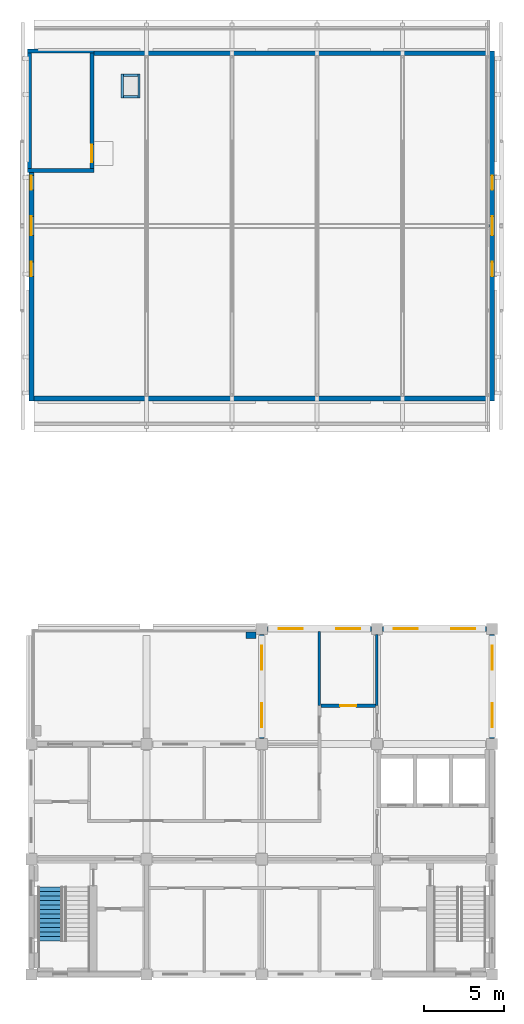
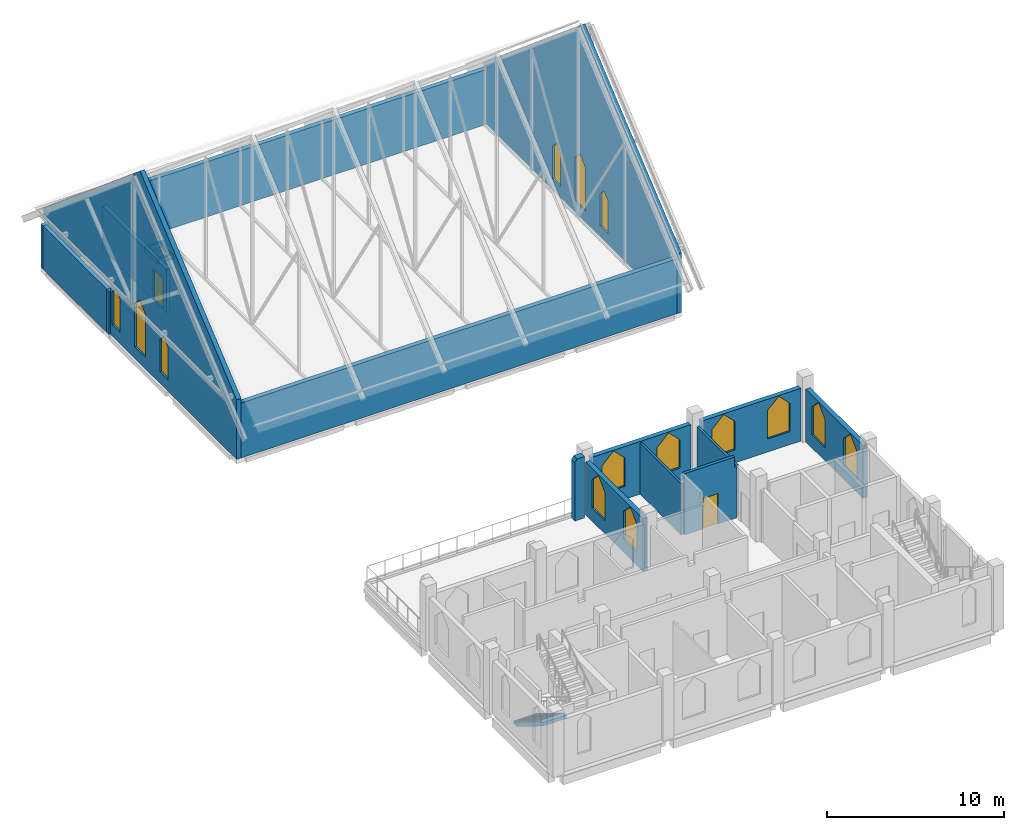
# One storey, part 27 of 29: 20 walls, 14 windows, 2 doors, 1 stair flight, 16 openings, 1 element without a shape of its own.
"""IFC4 building model written with IfcOpenShell, lengths in metres."""

from ifc_helpers import new_model, si_unit, direction, frame, frame_2d, origin, place, context, subcontext, project, spatial, polyline, rectangle, outline, extrude, material, layer, layer_set, type_object, element, fill, aggregate, save


model = new_model("IFC4")

# Units and contexts
model_context = context("Model", 3, precision=1e-05, world=origin(), true_north=direction((0.0, 1.0)))
body_context = subcontext(model_context, "Body", "Model", "MODEL_VIEW")
ifc_project = project(units=[si_unit("LENGTHUNIT", "METRE"), si_unit("AREAUNIT", "SQUARE_METRE"), si_unit("VOLUMEUNIT", "CUBIC_METRE"), si_unit("PLANEANGLEUNIT", "RADIAN"), si_unit("MASSUNIT", "GRAM", prefix="KILO")], contexts=[model_context])

# Site, building, storey
site_placement = place(None, origin())
site = spatial("IfcSite", under=ifc_project, at=site_placement, CompositionType="ELEMENT")
building_placement = place(site_placement, origin())
building = spatial("IfcBuilding", under=site, at=building_placement, Name="Silangan Lancet Faculty of Sciences", CompositionType="ELEMENT")
storey_placement = place(building_placement, frame((0.0, 0.0, 54.300048828125)))
storey = spatial("IfcBuildingStorey", under=building, at=storey_placement, Name="L11", CompositionType="ELEMENT", Elevation=54.300048828125)

# Wall, openings, windows
ifc_material_1 = material(Name="Concrete C40/50 precast", Category="concrete")
ifc_layer_1 = layer(ifc_material_1, 0.300048828125)
ifc_layer_set_1 = layer_set([ifc_layer_1], Name="Concrete C40/50 precast")
wall_type_1 = type_object("IfcWallType", Name="EW1 Precast cladding wall", PredefinedType="STANDARD", material=ifc_layer_set_1)
wall_1_placement = place(storey_placement, frame((28.800048828125, 14.75, 0.0), z_axis=(0.0, 0.0, 1.0), x_axis=(0.0, 1.0, 0.0)))
wall_1 = element("IfcWall", 1, at=wall_1_placement, inside=storey, type_object=wall_type_1, Name="EW-L11-E-ST-02", PredefinedType="STANDARD", context=body_context, shape_type="SweptSolid", body=[
    extrude(rectangle(XDim=6.5, YDim=0.300048828125, at=frame_2d((3.25, 0.0))), origin(), (0.0, 0.0, 1.0), 3.64990234375),
])
opening_1_placement = place(wall_1_placement, frame((0.699951171875, 0.0, 0.89990234375)))
opening_1 = element("IfcOpeningElement", 2, at=opening_1_placement, cuts=wall_1, Name="Opening W23", PredefinedType="OPENING", context=body_context, shape_type="SweptSolid", body=[
    extrude(outline(polyline([(0.0, 0.0), (1.5, 0.0), (1.5, 1.949951171875), (0.75, 2.699951171875), (0.0, 1.949951171875), (0.0, 0.0)])), frame((0.0, 0.159912109375, 0.0), z_axis=(0.0, -1.0, 0.0), x_axis=(1.0, 0.0, 0.0)), (0.0, 0.0, 1.0), 0.320068359375),
])
opening_2_placement = place(wall_1_placement, frame((4.300048828125, 0.0, 0.89990234375)))
opening_2 = element("IfcOpeningElement", 3, at=opening_2_placement, cuts=wall_1, Name="Opening W23", PredefinedType="OPENING", context=body_context, shape_type="SweptSolid", body=[
    extrude(outline(polyline([(0.0, 0.0), (1.5, 0.0), (1.5, 1.949951171875), (0.75, 2.699951171875), (0.0, 1.949951171875), (0.0, 0.0)])), frame((0.0, 0.159912109375, 0.0), z_axis=(0.0, -1.0, 0.0), x_axis=(1.0, 0.0, 0.0)), (0.0, 0.0, 1.0), 0.320068359375),
])
ifc_material_2 = material(Name="Aluminium frame, laminated double glazing", Category="aluminium")
window_type_1 = type_object("IfcWindowType", Name="W23 Lancet window 1500 x 2700", PartitioningType="SINGLE_PANEL", PredefinedType="WINDOW", material=ifc_material_2)
window_1_placement = place(opening_1_placement, origin())
window_1 = element("IfcWindow", 4, at=window_1_placement, inside=storey, type_object=window_type_1, Name="WIN-L11-E-ST-02a", OverallHeight=2.699951171875, OverallWidth=1.5, PartitioningType="SINGLE_PANEL", PredefinedType="WINDOW", context=body_context, shape_type="SweptSolid", body=[
    extrude(outline(polyline([(0.0, 0.0), (1.5, 0.0), (1.5, 1.949951171875), (0.75, 2.699951171875), (0.0, 1.949951171875), (0.0, 0.0)])), frame((0.0, 0.030029296875, 0.0), z_axis=(0.0, -1.0, 0.0), x_axis=(1.0, 0.0, 0.0)), (0.0, 0.0, 1.0), 0.06005859375),
])
fill(opening_1, window_1)
window_2_placement = place(opening_2_placement, origin())
window_2 = element("IfcWindow", 5, at=window_2_placement, inside=storey, type_object=window_type_1, Name="WIN-L11-E-ST-02b", OverallHeight=2.699951171875, OverallWidth=1.5, PartitioningType="SINGLE_PANEL", PredefinedType="WINDOW", context=body_context, shape_type="SweptSolid", body=[
    extrude(outline(polyline([(0.0, 0.0), (1.5, 0.0), (1.5, 1.949951171875), (0.75, 2.699951171875), (0.0, 1.949951171875), (0.0, 0.0)])), frame((0.0, 0.030029296875, 0.0), z_axis=(0.0, -1.0, 0.0), x_axis=(1.0, 0.0, 0.0)), (0.0, 0.0, 1.0), 0.06005859375),
])
fill(opening_2, window_2)

wall_2_placement = place(storey_placement, frame((28.449951171875, 21.60009765625, 0.0), z_axis=(0.0, 0.0, 1.0), x_axis=(-1.0, 0.0, 0.0)))
wall_2 = element("IfcWall", 6, at=wall_2_placement, inside=storey, type_object=wall_type_1, Name="EW-L11-N-ST-M-00", PredefinedType="STANDARD", context=body_context, shape_type="SweptSolid", body=[
    extrude(rectangle(XDim=6.5, YDim=0.300048828125, at=frame_2d((3.25, 0.0))), origin(), (0.0, 0.0, 1.0), 3.64990234375),
])
opening_3_placement = place(wall_2_placement, frame((0.699951171875, 0.0, 0.89990234375)))
opening_3 = element("IfcOpeningElement", 7, at=opening_3_placement, cuts=wall_2, Name="Opening W23", PredefinedType="OPENING", context=body_context, shape_type="SweptSolid", body=[
    extrude(outline(polyline([(0.0, 0.0), (1.5, 0.0), (1.5, 1.949951171875), (0.75, 2.699951171875), (0.0, 1.949951171875), (0.0, 0.0)])), frame((0.0, 0.159912109375, 0.0), z_axis=(0.0, -1.0, 0.0), x_axis=(1.0, 0.0, 0.0)), (0.0, 0.0, 1.0), 0.320068359375),
])
opening_4_placement = place(wall_2_placement, frame((4.300048828125, 0.0, 0.89990234375)))
opening_4 = element("IfcOpeningElement", 8, at=opening_4_placement, cuts=wall_2, Name="Opening W23", PredefinedType="OPENING", context=body_context, shape_type="SweptSolid", body=[
    extrude(outline(polyline([(0.0, 0.0), (1.5, 0.0), (1.5, 1.949951171875), (0.75, 2.699951171875), (0.0, 1.949951171875), (0.0, 0.0)])), frame((0.0, 0.159912109375, 0.0), z_axis=(0.0, -1.0, 0.0), x_axis=(1.0, 0.0, 0.0)), (0.0, 0.0, 1.0), 0.320068359375),
])
window_3_placement = place(opening_3_placement, origin())
window_3 = element("IfcWindow", 9, at=window_3_placement, inside=storey, type_object=window_type_1, Name="WIN-L11-N-ST-M-00a", OverallHeight=2.699951171875, OverallWidth=1.5, PartitioningType="SINGLE_PANEL", PredefinedType="WINDOW", context=body_context, shape_type="SweptSolid", body=[
    extrude(outline(polyline([(0.0, 0.0), (1.5, 0.0), (1.5, 1.949951171875), (0.75, 2.699951171875), (0.0, 1.949951171875), (0.0, 0.0)])), frame((0.0, 0.030029296875, 0.0), z_axis=(0.0, -1.0, 0.0), x_axis=(1.0, 0.0, 0.0)), (0.0, 0.0, 1.0), 0.06005859375),
])
fill(opening_3, window_3)
window_4_placement = place(opening_4_placement, origin())
window_4 = element("IfcWindow", 10, at=window_4_placement, inside=storey, type_object=window_type_1, Name="WIN-L11-N-ST-M-00b", OverallHeight=2.699951171875, OverallWidth=1.5, PartitioningType="SINGLE_PANEL", PredefinedType="WINDOW", context=body_context, shape_type="SweptSolid", body=[
    extrude(outline(polyline([(0.0, 0.0), (1.5, 0.0), (1.5, 1.949951171875), (0.75, 2.699951171875), (0.0, 1.949951171875), (0.0, 0.0)])), frame((0.0, 0.030029296875, 0.0), z_axis=(0.0, -1.0, 0.0), x_axis=(1.0, 0.0, 0.0)), (0.0, 0.0, 1.0), 0.06005859375),
])
fill(opening_4, window_4)

wall_3_placement = place(storey_placement, frame((21.25, 21.60009765625, 0.0), z_axis=(0.0, 0.0, 1.0), x_axis=(-1.0, 0.0, 0.0)))
wall_3 = element("IfcWall", 11, at=wall_3_placement, inside=storey, type_object=wall_type_1, Name="EW-L11-N-ST-M-01", PredefinedType="STANDARD", context=body_context, shape_type="SweptSolid", body=[
    extrude(rectangle(XDim=6.5, YDim=0.300048828125, at=frame_2d((3.25, 0.0))), origin(), (0.0, 0.0, 1.0), 3.64990234375),
])
opening_5_placement = place(wall_3_placement, frame((0.699951171875, 0.0, 0.89990234375)))
opening_5 = element("IfcOpeningElement", 12, at=opening_5_placement, cuts=wall_3, Name="Opening W23", PredefinedType="OPENING", context=body_context, shape_type="SweptSolid", body=[
    extrude(outline(polyline([(0.0, 0.0), (1.5, 0.0), (1.5, 1.949951171875), (0.75, 2.699951171875), (0.0, 1.949951171875), (0.0, 0.0)])), frame((0.0, 0.159912109375, 0.0), z_axis=(0.0, -1.0, 0.0), x_axis=(1.0, 0.0, 0.0)), (0.0, 0.0, 1.0), 0.320068359375),
])
opening_6_placement = place(wall_3_placement, frame((4.300048828125, 0.0, 0.89990234375)))
opening_6 = element("IfcOpeningElement", 13, at=opening_6_placement, cuts=wall_3, Name="Opening W23", PredefinedType="OPENING", context=body_context, shape_type="SweptSolid", body=[
    extrude(outline(polyline([(0.0, 0.0), (1.5, 0.0), (1.5, 1.949951171875), (0.75, 2.699951171875), (0.0, 1.949951171875), (0.0, 0.0)])), frame((0.0, 0.159912109375, 0.0), z_axis=(0.0, -1.0, 0.0), x_axis=(1.0, 0.0, 0.0)), (0.0, 0.0, 1.0), 0.320068359375),
])
window_5_placement = place(opening_5_placement, origin())
window_5 = element("IfcWindow", 14, at=window_5_placement, inside=storey, type_object=window_type_1, Name="WIN-L11-N-ST-M-01a", OverallHeight=2.699951171875, OverallWidth=1.5, PartitioningType="SINGLE_PANEL", PredefinedType="WINDOW", context=body_context, shape_type="SweptSolid", body=[
    extrude(outline(polyline([(0.0, 0.0), (1.5, 0.0), (1.5, 1.949951171875), (0.75, 2.699951171875), (0.0, 1.949951171875), (0.0, 0.0)])), frame((0.0, 0.030029296875, 0.0), z_axis=(0.0, -1.0, 0.0), x_axis=(1.0, 0.0, 0.0)), (0.0, 0.0, 1.0), 0.06005859375),
])
fill(opening_5, window_5)
window_6_placement = place(opening_6_placement, origin())
window_6 = element("IfcWindow", 15, at=window_6_placement, inside=storey, type_object=window_type_1, Name="WIN-L11-N-ST-M-01b", OverallHeight=2.699951171875, OverallWidth=1.5, PartitioningType="SINGLE_PANEL", PredefinedType="WINDOW", context=body_context, shape_type="SweptSolid", body=[
    extrude(outline(polyline([(0.0, 0.0), (1.5, 0.0), (1.5, 1.949951171875), (0.75, 2.699951171875), (0.0, 1.949951171875), (0.0, 0.0)])), frame((0.0, 0.030029296875, 0.0), z_axis=(0.0, -1.0, 0.0), x_axis=(1.0, 0.0, 0.0)), (0.0, 0.0, 1.0), 0.06005859375),
])
fill(opening_6, window_6)

wall_4_placement = place(storey_placement, frame((14.39990234375, 14.75, 0.0), z_axis=(0.0, 0.0, 1.0), x_axis=(0.0, 1.0, 0.0)))
wall_4 = element("IfcWall", 16, at=wall_4_placement, inside=storey, type_object=wall_type_1, Name="EW-L11-W-ST-R-00", PredefinedType="STANDARD", context=body_context, shape_type="SweptSolid", body=[
    extrude(rectangle(XDim=6.5, YDim=0.300048828125, at=frame_2d((3.25, 0.0))), origin(), (0.0, 0.0, 1.0), 3.64990234375),
])
opening_7_placement = place(wall_4_placement, frame((0.699951171875, 0.0, 0.89990234375)))
opening_7 = element("IfcOpeningElement", 17, at=opening_7_placement, cuts=wall_4, Name="Opening W23", PredefinedType="OPENING", context=body_context, shape_type="SweptSolid", body=[
    extrude(outline(polyline([(0.0, 0.0), (1.5, 0.0), (1.5, 1.949951171875), (0.75, 2.699951171875), (0.0, 1.949951171875), (0.0, 0.0)])), frame((0.0, 0.159912109375, 0.0), z_axis=(0.0, -1.0, 0.0), x_axis=(1.0, 0.0, 0.0)), (0.0, 0.0, 1.0), 0.320068359375),
])
opening_8_placement = place(wall_4_placement, frame((4.300048828125, 0.0, 0.89990234375)))
opening_8 = element("IfcOpeningElement", 18, at=opening_8_placement, cuts=wall_4, Name="Opening W23", PredefinedType="OPENING", context=body_context, shape_type="SweptSolid", body=[
    extrude(outline(polyline([(0.0, 0.0), (1.5, 0.0), (1.5, 1.949951171875), (0.75, 2.699951171875), (0.0, 1.949951171875), (0.0, 0.0)])), frame((0.0, 0.159912109375, 0.0), z_axis=(0.0, -1.0, 0.0), x_axis=(1.0, 0.0, 0.0)), (0.0, 0.0, 1.0), 0.320068359375),
])
window_7_placement = place(opening_7_placement, origin())
window_7 = element("IfcWindow", 19, at=window_7_placement, inside=storey, type_object=window_type_1, Name="WIN-L11-W-ST-R-00a", OverallHeight=2.699951171875, OverallWidth=1.5, PartitioningType="SINGLE_PANEL", PredefinedType="WINDOW", context=body_context, shape_type="SweptSolid", body=[
    extrude(outline(polyline([(0.0, 0.0), (1.5, 0.0), (1.5, 1.949951171875), (0.75, 2.699951171875), (0.0, 1.949951171875), (0.0, 0.0)])), frame((0.0, 0.030029296875, 0.0), z_axis=(0.0, -1.0, 0.0), x_axis=(1.0, 0.0, 0.0)), (0.0, 0.0, 1.0), 0.06005859375),
])
fill(opening_7, window_7)
window_8_placement = place(opening_8_placement, origin())
window_8 = element("IfcWindow", 20, at=window_8_placement, inside=storey, type_object=window_type_1, Name="WIN-L11-W-ST-R-00b", OverallHeight=2.699951171875, OverallWidth=1.5, PartitioningType="SINGLE_PANEL", PredefinedType="WINDOW", context=body_context, shape_type="SweptSolid", body=[
    extrude(outline(polyline([(0.0, 0.0), (1.5, 0.0), (1.5, 1.949951171875), (0.75, 2.699951171875), (0.0, 1.949951171875), (0.0, 0.0)])), frame((0.0, 0.030029296875, 0.0), z_axis=(0.0, -1.0, 0.0), x_axis=(1.0, 0.0, 0.0)), (0.0, 0.0, 1.0), 0.06005859375),
])
fill(opening_8, window_8)

# Walls
ifc_material_3 = material(Name="Concrete C40/50 precast", Category="concrete")
ifc_layer_2 = layer(ifc_material_3, 0.39990234375)
ifc_layer_set_2 = layer_set([ifc_layer_2], Name="Concrete C40/50 precast")
wall_type_2 = type_object("IfcWallType", Name="FN32 Buttress Fin column line stage 3 4250", PredefinedType="POLYGONAL", material=ifc_layer_set_2)
wall_5_placement = place(storey_placement, frame((14.050048828125, 21.199951171875, 0.0), z_axis=(0.0, 0.0, 1.0), x_axis=(-1.0, 0.0, 0.0)))
element("IfcWall", 21, at=wall_5_placement, inside=storey, type_object=wall_type_2, Name="FINC-W-ST-R-01", PredefinedType="POLYGONAL", context=body_context, shape_type="SweptSolid", body=[
    extrude(outline(polyline([(0.64990234375, 0.0), (0.64990234375, 4.02490234375), (0.5, 4.25), (0.0, 4.25), (0.0, 0.0), (0.64990234375, 0.0)])), frame((0.0, 0.199951171875, 0.0), z_axis=(0.0, -1.0, 0.0), x_axis=(1.0, 0.0, 0.0)), (0.0, 0.0, 1.0), 0.39990234375),
])
ifc_material_4 = material(Name="Concrete C35/45", Category="concrete")
ifc_layer_3 = layer(ifc_material_4, 0.14990234375)
ifc_layer_set_3 = layer_set([ifc_layer_3], Name="Concrete C35/45")
wall_type_3 = type_object("IfcWallType", Name="Hatch upstand 150", PredefinedType="STANDARD", material=ifc_layer_set_3)
for number, where, z_axis, x_axis, name in (
    (22, (5.675048828125, 54.800048828125, 0.0), (0.0, 0.0, 1.0), (0.0, 1.0, 0.0), "Hatch upstand wall NT W"),
    (23, (6.72509765625, 54.800048828125, 0.0), (0.0, 0.0, 1.0), (0.0, 1.0, 0.0), "Hatch upstand wall NT E"),
):
    element("IfcWall", number, at=place(storey_placement, frame(where, z_axis=z_axis, x_axis=x_axis)), inside=storey, type_object=wall_type_3, Name=name, PredefinedType="STANDARD", context=body_context, shape_type="SweptSolid", body=[
        extrude(rectangle(XDim=1.5, YDim=0.14990234375, at=frame_2d((0.75, 0.0))), origin(), (0.0, 0.0, 1.0), 0.349853515625),
    ])
for number, where, z_axis, x_axis, name in (
    (24, (5.75, 54.875, 0.0), (0.0, 0.0, 1.0), (1.0, 0.0, 0.0), "Hatch upstand wall NT S"),
    (25, (5.75, 56.22509765625, 0.0), (0.0, 0.0, 1.0), (1.0, 0.0, 0.0), "Hatch upstand wall NT N"),
):
    element("IfcWall", number, at=place(storey_placement, frame(where, z_axis=z_axis, x_axis=x_axis)), inside=storey, type_object=wall_type_3, Name=name, PredefinedType="STANDARD", context=body_context, shape_type="SweptSolid", body=[
        extrude(rectangle(XDim=0.89990234375, YDim=0.14990234375, at=frame_2d((0.449951171875, 0.0))), origin(), (0.0, 0.0, 1.0), 0.349853515625),
    ])
ifc_material_5 = material(Name="Concrete C35/45", Category="concrete")
ifc_layer_4 = layer(ifc_material_5, 0.25)
ifc_layer_set_4 = layer_set([ifc_layer_4], Name="Concrete C35/45")
wall_type_4 = type_object("IfcWallType", Name="Head-house wall 250", PredefinedType="STANDARD", material=ifc_layer_set_4)
for number, where, z_axis, x_axis, name in (
    (26, (-0.25, 50.27490234375, 0.0), (0.0, 0.0, 1.0), (1.0, 0.0, 0.0), "Head-house NT-A south wall"),
    (27, (-0.25, 57.72509765625, 0.0), (0.0, 0.0, 1.0), (1.0, 0.0, 0.0), "Head-house NT-A north wall"),
):
    element("IfcWall", number, at=place(storey_placement, frame(where, z_axis=z_axis, x_axis=x_axis)), inside=storey, type_object=wall_type_4, Name=name, PredefinedType="STANDARD", context=body_context, shape_type="SweptSolid", body=[
        extrude(rectangle(XDim=4.14990234375, YDim=0.25, at=frame_2d((2.074951171875, 0.0))), origin(), (0.0, 0.0, 1.0), 3.0),
    ])
wall_6_placement = place(storey_placement, frame((-0.125, 50.39990234375, 0.0), z_axis=(0.0, 0.0, 1.0), x_axis=(0.0, 1.0, 0.0)))
element("IfcWall", 28, at=wall_6_placement, inside=storey, type_object=wall_type_4, Name="Head-house NT-A west wall", PredefinedType="STANDARD", context=body_context, shape_type="SweptSolid", body=[
    extrude(rectangle(XDim=7.2001953125, YDim=0.25, at=frame_2d((3.60009765625, 0.0))), origin(), (0.0, 0.0, 1.0), 3.0),
])

# Wall, opening, door
wall_7_placement = place(storey_placement, frame((3.77490234375, 50.39990234375, 0.0), z_axis=(0.0, 0.0, 1.0), x_axis=(0.0, 1.0, 0.0)))
wall_7 = element("IfcWall", 29, at=wall_7_placement, inside=storey, type_object=wall_type_4, Name="Head-house NT-A east wall", PredefinedType="STANDARD", context=body_context, shape_type="SweptSolid", body=[
    extrude(rectangle(XDim=7.2001953125, YDim=0.25, at=frame_2d((3.60009765625, 0.0))), origin(), (0.0, 0.0, 1.0), 3.0),
])
opening_9_placement = place(wall_7_placement, frame((0.387451171875, 0.0, 0.02001953125)))
opening_9 = element("IfcOpeningElement", 30, at=opening_9_placement, cuts=wall_7, Name="Opening L11-902", PredefinedType="OPENING", context=body_context, shape_type="SweptSolid", body=[
    extrude(rectangle(XDim=1.10009765625, YDim=2.10009765625, at=frame_2d((0.550048828125, 1.050048828125))), frame((0.0, 0.135009765625, 0.0), z_axis=(0.0, -1.0, 0.0), x_axis=(1.0, 0.0, 0.0)), (0.0, 0.0, 1.0), 0.27001953125),
])
ifc_material_6 = material(Name="Steel fire door", Category="steel")
door_type_1 = type_object("IfcDoorType", Name="DR1 Roof exit door 1100x2100", OperationType="SINGLE_SWING_LEFT", PredefinedType="DOOR", material=ifc_material_6)
door_1_placement = place(opening_9_placement, frame((1.10009765625, 0.0, 0.0), z_axis=(0.0, 0.0, 1.0), x_axis=(-1.0, 0.0, 0.0)))
door_1 = element("IfcDoor", 31, at=door_1_placement, inside=storey, type_object=door_type_1, Name="Roof exit door NT-A", OperationType="SINGLE_SWING_RIGHT", OverallHeight=2.10009765625, OverallWidth=1.10009765625, PredefinedType="DOOR", context=body_context, shape_type="SweptSolid", body=[
    extrude(rectangle(XDim=1.10009765625, YDim=2.10009765625, at=frame_2d((0.550048828125, 1.050048828125))), frame((0.0, 0.025146484375, 0.0), z_axis=(0.0, -1.0, 0.0), x_axis=(1.0, 0.0, 0.0)), (0.0, 0.0, 1.0), 0.050048828125),
])
fill(opening_9, door_1)

ifc_material_7 = material(Name="Hollow block masonry fm 7 MPa", Category="masonry")
ifc_layer_5 = layer(ifc_material_7, 0.199951171875)
ifc_layer_set_5 = layer_set([ifc_layer_5], Name="Hollow block masonry fm 7 MPa")
wall_type_5 = type_object("IfcWallType", Name="Interior wall PW1 Corridor wall CHB 200", PredefinedType="PARTITIONING", material=ifc_layer_set_5)
wall_8_placement = place(storey_placement, frame((18.10009765625, 16.800048828125, 0.0), z_axis=(0.0, 0.0, 1.0), x_axis=(1.0, 0.0, 0.0)))
wall_8 = element("IfcWall", 32, at=wall_8_placement, inside=storey, type_object=wall_type_5, Name="Corridor wall CHB 200", PredefinedType="PARTITIONING", context=body_context, shape_type="SweptSolid", body=[
    extrude(outline(polyline([(0.0, 0.0), (3.39990234375, 0.0), (3.39990234375, 3.550048828125), (3.27490234375, 3.550048828125), (3.27490234375, 4.25), (0.0, 4.25), (0.0, 0.0)])), frame((0.0, 0.10009765625, 0.0), z_axis=(0.0, -1.0, 0.0), x_axis=(1.0, 0.0, 0.0)), (0.0, 0.0, 1.0), 0.199951171875),
])
opening_10_placement = place(wall_8_placement, frame((1.199951171875, 0.0, 0.0)))
opening_10 = element("IfcOpeningElement", 33, at=opening_10_placement, cuts=wall_8, Name="Opening L11-008", PredefinedType="OPENING", context=body_context, shape_type="SweptSolid", body=[
    extrude(rectangle(XDim=1.0, YDim=2.10009765625, at=frame_2d((0.5, 1.050048828125))), frame((0.0, 0.10986328125, 0.0), z_axis=(0.0, -1.0, 0.0), x_axis=(1.0, 0.0, 0.0)), (0.0, 0.0, 1.0), 0.219970703125),
])
ifc_material_8 = material(Name="Steel fire door set", Category="steel")
door_type_2 = type_object("IfcDoorType", Name="Door D1 Single leaf fire door 1000 x 2100", OperationType="SINGLE_SWING_LEFT", PredefinedType="DOOR", material=ifc_material_8)
door_2_placement = place(opening_10_placement, origin())
door_2 = element("IfcDoor", 34, at=door_2_placement, inside=storey, type_object=door_type_2, Name="Single leaf fire door 1000 x 2100", OperationType="SINGLE_SWING_RIGHT", OverallHeight=2.10009765625, OverallWidth=1.0, PredefinedType="DOOR", context=body_context, shape_type="SweptSolid", body=[
    extrude(rectangle(XDim=1.0, YDim=2.10009765625, at=frame_2d((0.5, 1.050048828125))), frame((0.0, 0.02490234375, 0.0), z_axis=(0.0, -1.0, 0.0), x_axis=(1.0, 0.0, 0.0)), (0.0, 0.0, 1.0), 0.050048828125),
])
fill(opening_10, door_2)

# Walls
ifc_material_9 = material(Name="Hollow block masonry fm 7 MPa", Category="masonry")
ifc_layer_6 = layer(ifc_material_9, 0.14990234375)
ifc_layer_set_6 = layer_set([ifc_layer_6], Name="Hollow block masonry fm 7 MPa")
wall_type_6 = type_object("IfcWallType", Name="Interior wall PW3 Partition CHB 150", PredefinedType="PARTITIONING", material=ifc_layer_set_6)
wall_9_placement = place(storey_placement, frame((18.0, 16.800048828125, 0.0), z_axis=(0.0, 0.0, 1.0), x_axis=(0.0, 1.0, 0.0)))
element("IfcWall", 35, at=wall_9_placement, inside=storey, type_object=wall_type_6, Name="Partition CHB 150", PredefinedType="PARTITIONING", context=body_context, shape_type="SweptSolid", body=[
    extrude(rectangle(XDim=4.64990234375, YDim=0.14990234375, at=frame_2d((2.324951171875, 0.0))), origin(), (0.0, 0.0, 1.0), 3.550048828125),
])
wall_10_placement = place(storey_placement, frame((21.60009765625, 16.800048828125, 0.0), z_axis=(0.0, 0.0, 1.0), x_axis=(0.0, 1.0, 0.0)))
element("IfcWall", 36, at=wall_10_placement, inside=storey, type_object=wall_type_6, Name="Partition CHB 150", PredefinedType="PARTITIONING", context=body_context, shape_type="SweptSolid", body=[
    extrude(rectangle(XDim=4.449951171875, YDim=0.14990234375, at=frame_2d((2.22509765625, 0.0))), origin(), (0.0, 0.0, 1.0), 3.550048828125),
])
ifc_material_10 = material(Name="Concrete C35/45", Category="concrete")
ifc_layer_7 = layer(ifc_material_10, 0.300048828125)
ifc_layer_set_7 = layer_set([ifc_layer_7], Name="Concrete C35/45")
wall_type_7 = type_object("IfcWallType", Name="Roof eave wall 300", PredefinedType="STANDARD", material=ifc_layer_set_7)
wall_11_placement = place(storey_placement, frame((0.14990234375, 36.0, 0.0), z_axis=(0.0, 0.0, 1.0), x_axis=(1.0, 0.0, 0.0)))
element("IfcWall", 37, at=wall_11_placement, inside=storey, type_object=wall_type_7, Name="Roof eave wall south", PredefinedType="STANDARD", context=body_context, shape_type="SweptSolid", body=[
    extrude(rectangle(XDim=28.5, YDim=0.300048828125, at=frame_2d((14.25, 0.0))), origin(), (0.0, 0.0, 1.0), 3.800048828125),
])
wall_12_placement = place(storey_placement, frame((3.89990234375, 57.60009765625, 0.0), z_axis=(0.0, 0.0, 1.0), x_axis=(1.0, 0.0, 0.0)))
element("IfcWall", 38, at=wall_12_placement, inside=storey, type_object=wall_type_7, Name="Roof eave wall north", PredefinedType="STANDARD", context=body_context, shape_type="SweptSolid", body=[
    extrude(rectangle(XDim=24.75, YDim=0.300048828125, at=frame_2d((12.375, 0.0))), origin(), (0.0, 0.0, 1.0), 3.800048828125),
])

# Wall, openings, windows
ifc_material_11 = material(Name="Concrete C35/45", Category="concrete")
ifc_layer_8 = layer(ifc_material_11, 0.300048828125)
ifc_layer_set_8 = layer_set([ifc_layer_8], Name="Concrete C35/45")
wall_type_8 = type_object("IfcWallType", Name="Roof gable wall 300", PredefinedType="POLYGONAL", material=ifc_layer_set_8)
wall_13_placement = place(storey_placement, frame((0.0, 35.85009765625, 0.0), z_axis=(0.0, 0.0, 1.0), x_axis=(0.0, 1.0, 0.0)))
wall_13 = element("IfcWall", 39, at=wall_13_placement, inside=storey, type_object=wall_type_8, Name="Gable wall west", PredefinedType="POLYGONAL", context=body_context, shape_type="SweptSolid", body=[
    extrude(outline(polyline([(0.0, 0.0), (14.300048828125, 0.0), (14.300048828125, 3.449951171875), (21.89990234375, 3.449951171875), (21.89990234375, 4.12646484375), (10.949951171875, 13.324462890625), (0.0, 4.12646484375), (0.0, 0.0)])), frame((0.0, 0.14990234375, 0.0), z_axis=(0.0, -1.0, 0.0), x_axis=(1.0, 0.0, 0.0)), (0.0, 0.0, 1.0), 0.300048828125),
])
opening_11_placement = place(wall_13_placement, frame((10.35009765625, 0.0, 0.800048828125)))
opening_11 = element("IfcOpeningElement", 40, at=opening_11_placement, cuts=wall_13, Name="Opening W32", PredefinedType="OPENING", context=body_context, shape_type="SweptSolid", body=[
    extrude(outline(polyline([(0.0, 0.0), (1.199951171875, 0.0), (1.199951171875, 3.0), (0.60009765625, 3.60009765625), (0.0, 3.0), (0.0, 0.0)])), frame((0.0, 0.159912109375, 0.0), z_axis=(0.0, -1.0, 0.0), x_axis=(1.0, 0.0, 0.0)), (0.0, 0.0, 1.0), 0.320068359375),
])
opening_12_placement = place(wall_13_placement, frame((7.800048828125, 0.0, 0.800048828125)))
opening_12 = element("IfcOpeningElement", 41, at=opening_12_placement, cuts=wall_13, Name="Opening W33", PredefinedType="OPENING", context=body_context, shape_type="SweptSolid", body=[
    extrude(outline(polyline([(0.0, 0.0), (0.89990234375, 0.0), (0.89990234375, 2.25), (0.449951171875, 2.699951171875), (0.0, 2.25), (0.0, 0.0)])), frame((0.0, 0.159912109375, 0.0), z_axis=(0.0, -1.0, 0.0), x_axis=(1.0, 0.0, 0.0)), (0.0, 0.0, 1.0), 0.320068359375),
])
opening_13_placement = place(wall_13_placement, frame((13.199951171875, 0.0, 0.800048828125)))
opening_13 = element("IfcOpeningElement", 42, at=opening_13_placement, cuts=wall_13, Name="Opening W33", PredefinedType="OPENING", context=body_context, shape_type="SweptSolid", body=[
    extrude(outline(polyline([(0.0, 0.0), (0.89990234375, 0.0), (0.89990234375, 2.25), (0.449951171875, 2.699951171875), (0.0, 2.25), (0.0, 0.0)])), frame((0.0, 0.159912109375, 0.0), z_axis=(0.0, -1.0, 0.0), x_axis=(1.0, 0.0, 0.0)), (0.0, 0.0, 1.0), 0.320068359375),
])
ifc_material_12 = material(Name="Aluminium storm louvre blades", Category="aluminium")
window_type_2 = type_object("IfcWindowType", Name="W32 Storm louvre lancet 1200 x 3600", PartitioningType="SINGLE_PANEL", PredefinedType="WINDOW", material=ifc_material_12)
window_9_placement = place(opening_11_placement, origin())
window_9 = element("IfcWindow", 43, at=window_9_placement, inside=storey, type_object=window_type_2, Name="NTR-LV-W1", OverallHeight=3.60009765625, OverallWidth=1.199951171875, PartitioningType="SINGLE_PANEL", PredefinedType="WINDOW", context=body_context, shape_type="SweptSolid", body=[
    extrude(outline(polyline([(0.0, 0.0), (1.199951171875, 0.0), (1.199951171875, 3.0), (0.60009765625, 3.60009765625), (0.0, 3.0), (0.0, 0.0)])), frame((0.0, 0.030029296875, 0.0), z_axis=(0.0, -1.0, 0.0), x_axis=(1.0, 0.0, 0.0)), (0.0, 0.0, 1.0), 0.06005859375),
])
fill(opening_11, window_9)
ifc_material_13 = material(Name="Aluminium storm louvre blades", Category="aluminium")
window_type_3 = type_object("IfcWindowType", Name="W33 Storm louvre lancet 900 x 2700", PartitioningType="SINGLE_PANEL", PredefinedType="WINDOW", material=ifc_material_13)
window_10_placement = place(opening_12_placement, origin())
window_10 = element("IfcWindow", 44, at=window_10_placement, inside=storey, type_object=window_type_3, Name="NTR-LV-W2", OverallHeight=2.699951171875, OverallWidth=0.89990234375, PartitioningType="SINGLE_PANEL", PredefinedType="WINDOW", context=body_context, shape_type="SweptSolid", body=[
    extrude(outline(polyline([(0.0, 0.0), (0.89990234375, 0.0), (0.89990234375, 2.25), (0.449951171875, 2.699951171875), (0.0, 2.25), (0.0, 0.0)])), frame((0.0, 0.030029296875, 0.0), z_axis=(0.0, -1.0, 0.0), x_axis=(1.0, 0.0, 0.0)), (0.0, 0.0, 1.0), 0.06005859375),
])
fill(opening_12, window_10)
window_11_placement = place(opening_13_placement, origin())
window_11 = element("IfcWindow", 45, at=window_11_placement, inside=storey, type_object=window_type_3, Name="NTR-LV-W3", OverallHeight=2.699951171875, OverallWidth=0.89990234375, PartitioningType="SINGLE_PANEL", PredefinedType="WINDOW", context=body_context, shape_type="SweptSolid", body=[
    extrude(outline(polyline([(0.0, 0.0), (0.89990234375, 0.0), (0.89990234375, 2.25), (0.449951171875, 2.699951171875), (0.0, 2.25), (0.0, 0.0)])), frame((0.0, 0.030029296875, 0.0), z_axis=(0.0, -1.0, 0.0), x_axis=(1.0, 0.0, 0.0)), (0.0, 0.0, 1.0), 0.06005859375),
])
fill(opening_13, window_11)

wall_14_placement = place(storey_placement, frame((28.800048828125, 35.85009765625, 0.0), z_axis=(0.0, 0.0, 1.0), x_axis=(0.0, 1.0, 0.0)))
wall_14 = element("IfcWall", 46, at=wall_14_placement, inside=storey, type_object=wall_type_8, Name="Gable wall east", PredefinedType="POLYGONAL", context=body_context, shape_type="SweptSolid", body=[
    extrude(outline(polyline([(0.0, 0.0), (21.89990234375, 0.0), (21.89990234375, 4.12646484375), (10.949951171875, 13.324462890625), (0.0, 4.12646484375), (0.0, 0.0)])), frame((0.0, 0.14990234375, 0.0), z_axis=(0.0, -1.0, 0.0), x_axis=(1.0, 0.0, 0.0)), (0.0, 0.0, 1.0), 0.300048828125),
])
opening_14_placement = place(wall_14_placement, frame((10.35009765625, 0.0, 0.800048828125)))
opening_14 = element("IfcOpeningElement", 47, at=opening_14_placement, cuts=wall_14, Name="Opening W32", PredefinedType="OPENING", context=body_context, shape_type="SweptSolid", body=[
    extrude(outline(polyline([(0.0, 0.0), (1.199951171875, 0.0), (1.199951171875, 3.0), (0.60009765625, 3.60009765625), (0.0, 3.0), (0.0, 0.0)])), frame((0.0, 0.159912109375, 0.0), z_axis=(0.0, -1.0, 0.0), x_axis=(1.0, 0.0, 0.0)), (0.0, 0.0, 1.0), 0.320068359375),
])
opening_15_placement = place(wall_14_placement, frame((7.800048828125, 0.0, 0.800048828125)))
opening_15 = element("IfcOpeningElement", 48, at=opening_15_placement, cuts=wall_14, Name="Opening W33", PredefinedType="OPENING", context=body_context, shape_type="SweptSolid", body=[
    extrude(outline(polyline([(0.0, 0.0), (0.89990234375, 0.0), (0.89990234375, 2.25), (0.449951171875, 2.699951171875), (0.0, 2.25), (0.0, 0.0)])), frame((0.0, 0.159912109375, 0.0), z_axis=(0.0, -1.0, 0.0), x_axis=(1.0, 0.0, 0.0)), (0.0, 0.0, 1.0), 0.320068359375),
])
opening_16_placement = place(wall_14_placement, frame((13.199951171875, 0.0, 0.800048828125)))
opening_16 = element("IfcOpeningElement", 49, at=opening_16_placement, cuts=wall_14, Name="Opening W33", PredefinedType="OPENING", context=body_context, shape_type="SweptSolid", body=[
    extrude(outline(polyline([(0.0, 0.0), (0.89990234375, 0.0), (0.89990234375, 2.25), (0.449951171875, 2.699951171875), (0.0, 2.25), (0.0, 0.0)])), frame((0.0, 0.159912109375, 0.0), z_axis=(0.0, -1.0, 0.0), x_axis=(1.0, 0.0, 0.0)), (0.0, 0.0, 1.0), 0.320068359375),
])
window_12_placement = place(opening_14_placement, origin())
window_12 = element("IfcWindow", 50, at=window_12_placement, inside=storey, type_object=window_type_2, Name="NTR-LV-E1", OverallHeight=3.60009765625, OverallWidth=1.199951171875, PartitioningType="SINGLE_PANEL", PredefinedType="WINDOW", context=body_context, shape_type="SweptSolid", body=[
    extrude(outline(polyline([(0.0, 0.0), (1.199951171875, 0.0), (1.199951171875, 3.0), (0.60009765625, 3.60009765625), (0.0, 3.0), (0.0, 0.0)])), frame((0.0, 0.030029296875, 0.0), z_axis=(0.0, -1.0, 0.0), x_axis=(1.0, 0.0, 0.0)), (0.0, 0.0, 1.0), 0.06005859375),
])
fill(opening_14, window_12)
window_13_placement = place(opening_15_placement, origin())
window_13 = element("IfcWindow", 51, at=window_13_placement, inside=storey, type_object=window_type_3, Name="NTR-LV-E2", OverallHeight=2.699951171875, OverallWidth=0.89990234375, PartitioningType="SINGLE_PANEL", PredefinedType="WINDOW", context=body_context, shape_type="SweptSolid", body=[
    extrude(outline(polyline([(0.0, 0.0), (0.89990234375, 0.0), (0.89990234375, 2.25), (0.449951171875, 2.699951171875), (0.0, 2.25), (0.0, 0.0)])), frame((0.0, 0.030029296875, 0.0), z_axis=(0.0, -1.0, 0.0), x_axis=(1.0, 0.0, 0.0)), (0.0, 0.0, 1.0), 0.06005859375),
])
fill(opening_15, window_13)
window_14_placement = place(opening_16_placement, origin())
window_14 = element("IfcWindow", 52, at=window_14_placement, inside=storey, type_object=window_type_3, Name="NTR-LV-E3", OverallHeight=2.699951171875, OverallWidth=0.89990234375, PartitioningType="SINGLE_PANEL", PredefinedType="WINDOW", context=body_context, shape_type="SweptSolid", body=[
    extrude(outline(polyline([(0.0, 0.0), (0.89990234375, 0.0), (0.89990234375, 2.25), (0.449951171875, 2.699951171875), (0.0, 2.25), (0.0, 0.0)])), frame((0.0, 0.030029296875, 0.0), z_axis=(0.0, -1.0, 0.0), x_axis=(1.0, 0.0, 0.0)), (0.0, 0.0, 1.0), 0.06005859375),
])
fill(opening_16, window_14)

# Stair, stair flight
ifc_material_14 = material(Name="Concrete C40/50", Category="concrete")
stair_type = type_object("IfcStairType", Name="TURRET STAIR 1550 TWO-FLIGHT", PredefinedType="HALF_TURN_STAIR", material=ifc_material_14)
stair_placement = place(storey_placement, origin())
stair = element("IfcStair", 53, at=stair_placement, inside=storey, type_object=stair_type, Name="ST-A stair L11", PredefinedType="HALF_TURN_STAIR")
ifc_material_15 = material(Name="Concrete C40/50", Category="concrete")
stair_flight_type = type_object("IfcStairFlightType", Name="TURRET STAIR FLIGHT 1550", PredefinedType="STRAIGHT", material=ifc_material_15)
stair_flight_placement = place(storey_placement, frame((1.175048828125, 5.449951171875, 0.0), z_axis=(0.0, 0.0, 1.0), x_axis=(0.0, -1.0, 0.0)))
stair_flight = element("IfcStairFlight", 54, at=stair_flight_placement, type_object=stair_flight_type, Name="STR1 flight 1", NumberOfRisers=13, NumberOfTreads=12, PredefinedType="STRAIGHT", RiserHeight=0.173076923, TreadLength=0.28, context=body_context, shape_type="SweptSolid", body=[
    extrude(outline(polyline([(0.0, 0.0), (0.0, 0.173095703125), (0.280029296875, 0.173095703125), (0.280029296875, 0.34619140625), (0.56005859375, 0.34619140625), (0.56005859375, 0.519287109375), (0.840087890625, 0.519287109375), (0.840087890625, 0.6923828125), (1.1201171875, 0.6923828125), (1.1201171875, 0.865478515625), (1.39990234375, 0.865478515625), (1.39990234375, 1.03857421875), (1.679931640625, 1.03857421875), (1.679931640625, 1.21142578125), (1.9599609375, 1.21142578125), (1.9599609375, 1.384521484375), (2.239990234375, 1.384521484375), (2.239990234375, 1.5576171875), (2.52001953125, 1.5576171875), (2.52001953125, 1.730712890625), (2.800048828125, 1.730712890625), (2.800048828125, 1.90380859375), (3.080078125, 1.90380859375), (3.080078125, 2.076904296875), (3.360107421875, 2.076904296875), (3.360107421875, 2.25), (3.360107421875, 1.841796875), (0.38037109375, 0.0), (0.0, 0.0)])), frame((0.0, 0.77490234375, 0.0), z_axis=(0.0, -1.0, 0.0), x_axis=(1.0, 0.0, 0.0)), (0.0, 0.0, 1.0), 1.550048828125),
])
aggregate(stair, [stair_flight])

save(model, "model.ifc")
